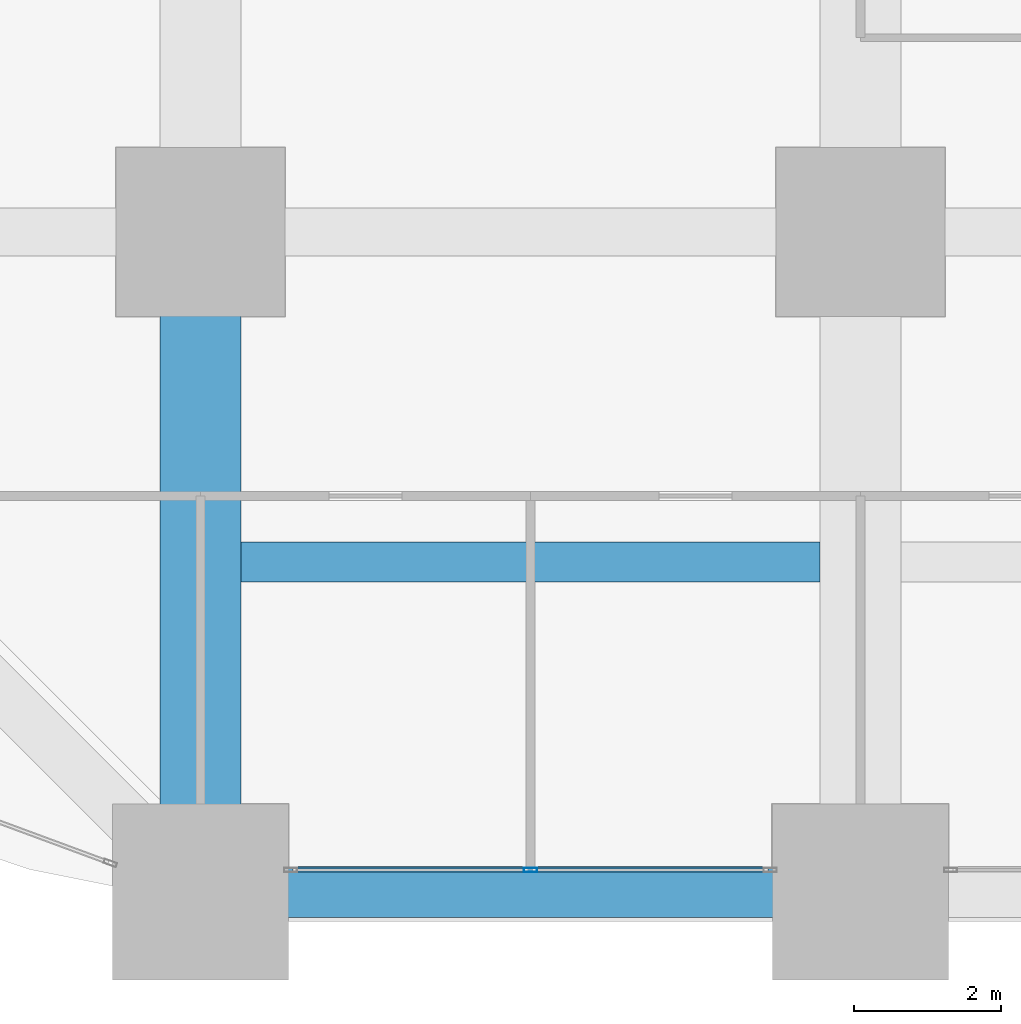
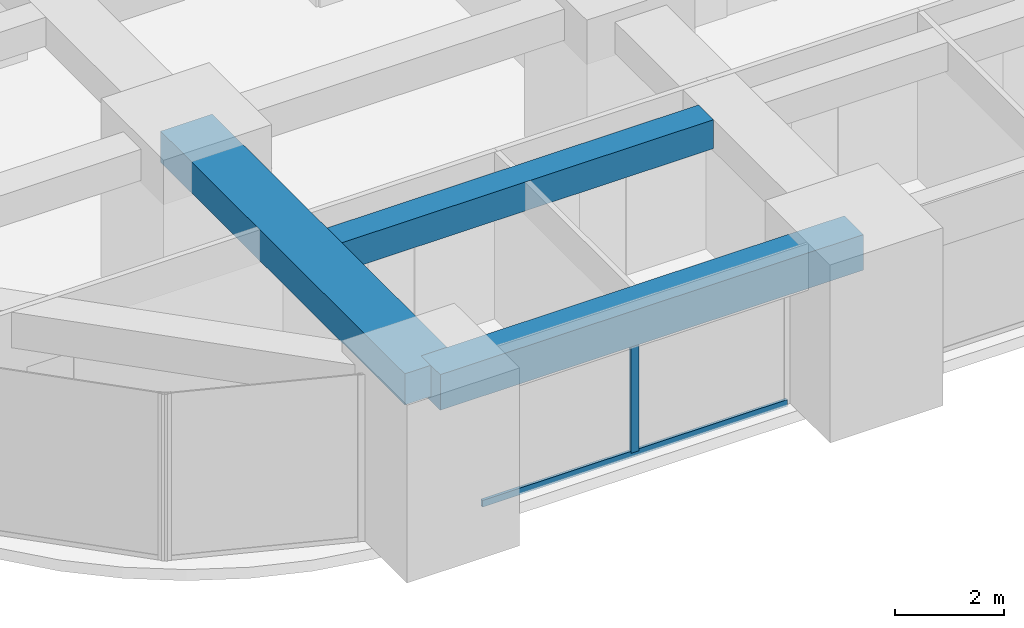
# One storey, part 3 of 45: 3 beams, 2 members, 1 element without a shape of its own.
"""IFC4 building model written with IfcOpenShell, lengths in metres."""

import ifcopenshell
import ifcopenshell.guid

model = None  # the IFC model being written
_history = None  # IfcOwnerHistory: only IFC2X3 demands one
_inside = {}  # id of a spatial element -> (the spatial element, [elements in it])
_under = {}  # id of a project, library or spatial element -> (it, [spatial elements below it])
_declared = {}  # id of a project -> (the project, [libraries it declares])
_typed = {}  # id of a type object -> (the type object, [elements of that type])
_made_of = {}  # id of a material, layer set ... -> (it, [elements and type objects made of it])


def new_model(schema):
    """Start an empty IFC model of exactly this schema.

    Asked for "IFC4X3", IfcOpenShell would pick the latest addendum, in which some entities
    have other attributes; the version numbers below select the first issue.
    IFC2X3 requires an IfcOwnerHistory on every rooted entity: one is made here for all.
    """
    global model, _history
    if schema == "IFC4X3":
        model = ifcopenshell.file(schema_version=(4, 3, 0, 0))
    else:
        model = ifcopenshell.file(schema=schema)
    _inside.clear()
    _under.clear()
    _declared.clear()
    _typed.clear()
    _made_of.clear()
    _history = None
    if model.schema == "IFC2X3":
        org = make("IfcOrganization", Name="unknown")
        user = make(
            "IfcPersonAndOrganization",
            ThePerson=make("IfcPerson", FamilyName="unknown"),
            TheOrganization=org,
        )
        app = make(
            "IfcApplication",
            ApplicationDeveloper=org,
            Version="unknown",
            ApplicationFullName="unknown",
            ApplicationIdentifier="unknown",
        )
        _history = make(
            "IfcOwnerHistory",
            OwningUser=user,
            OwningApplication=app,
            ChangeAction="ADDED",
            CreationDate=0,
        )
    return model


def make(cls, **values):
    """One entity of the class cls with the attributes given. An attribute that is None is left unset."""
    return model.create_entity(
        cls, **{name: value for name, value in values.items() if value is not None}
    )


def rooted(cls, **values):
    """An entity with a GlobalId (a new one), such as an element, a storey or a relation."""
    return make(cls, GlobalId=ifcopenshell.guid.new(), OwnerHistory=_history, **values)


def si_unit(unit_type, name, prefix=None):
    """IfcSIUnit, for example si_unit("LENGTHUNIT", "METRE", prefix="MILLI")."""
    return make("IfcSIUnit", UnitType=unit_type, Prefix=prefix, Name=name)


def assignment(units):
    """IfcUnitAssignment: the units of a project."""
    return None if units is None else make("IfcUnitAssignment", Units=units)


def point(xyz):
    """IfcCartesianPoint."""
    return None if xyz is None else make("IfcCartesianPoint", Coordinates=xyz)


def direction(xyz):
    """IfcDirection."""
    return None if xyz is None else make("IfcDirection", DirectionRatios=xyz)


def frame(location, z_axis=None, x_axis=None):
    """IfcAxis2Placement3D, a coordinate frame: its origin and axes. An axis left out is left unset."""
    return make(
        "IfcAxis2Placement3D",
        Location=point(location),
        Axis=direction(z_axis),
        RefDirection=direction(x_axis),
    )


def frame_2d(location, x_axis=None):
    """IfcAxis2Placement2D, a coordinate frame in the plane: its origin and x axis."""
    return make(
        "IfcAxis2Placement2D", Location=point(location), RefDirection=direction(x_axis)
    )


def origin():
    """The frame at (0, 0, 0) with its axes left unset."""
    return frame((0.0, 0.0, 0.0))


def origin_2d():
    """The frame at (0, 0) in the plane with its x axis left unset."""
    return frame_2d((0.0, 0.0))


def place(relative_to, where):
    """IfcLocalPlacement: puts the frame where relative to a parent placement (None: the world)."""
    return make(
        "IfcLocalPlacement", PlacementRelTo=relative_to, RelativePlacement=where
    )


def context(
    kind, dimensions, precision=None, world=None, true_north=None, identifier=None
):
    """IfcGeometricRepresentationContext, for example the 3D "Model" context."""
    return make(
        "IfcGeometricRepresentationContext",
        ContextIdentifier=identifier,
        ContextType=kind,
        CoordinateSpaceDimension=dimensions,
        Precision=precision,
        WorldCoordinateSystem=world,
        TrueNorth=true_north,
    )


def subcontext(parent, identifier, kind, view, scale=None):
    """IfcGeometricRepresentationSubContext, for example "Body" below "Model"."""
    return make(
        "IfcGeometricRepresentationSubContext",
        ContextIdentifier=identifier,
        ContextType=kind,
        ParentContext=parent,
        TargetScale=scale,
        TargetView=view,
    )


def project(units=None, contexts=None):
    """IfcProject with its units and contexts."""
    return rooted(
        "IfcProject",
        Name="project",
        RepresentationContexts=contexts,
        UnitsInContext=assignment(units),
    )


def spatial(cls, under=None, at=None, **own):
    """A site, building, storey or space (cls), placed at a placement, below another one or the project."""
    s = rooted(cls, ObjectPlacement=at, **own)
    if under is not None:
        _under.setdefault(under.id(), (under, []))[1].append(s)
    return s


def profile(cls, at=None, kind="AREA", **sizes):
    """A parametric profile (cls). Its sizes go by their IFC names, for example OverallWidth=200.0."""
    return make(cls, ProfileType=kind, Position=at, **sizes)


def rectangle(**sizes):
    """IfcRectangleProfileDef."""
    return profile("IfcRectangleProfileDef", **sizes)


def hollow_rectangle(**sizes):
    """IfcRectangleHollowProfileDef."""
    return profile("IfcRectangleHollowProfileDef", **sizes)


def extrude(swept, where, along, depth):
    """IfcExtrudedAreaSolid: the profile swept, set in the frame where, extruded along a direction by depth."""
    return make(
        "IfcExtrudedAreaSolid",
        SweptArea=swept,
        Position=where,
        ExtrudedDirection=direction(along),
        Depth=depth,
    )


def shape(context_of_items, identifier, shape_type, items):
    """IfcShapeRepresentation: the items that make up one representation, for example the "Body"."""
    return make(
        "IfcShapeRepresentation",
        ContextOfItems=context_of_items,
        RepresentationIdentifier=identifier,
        RepresentationType=shape_type,
        Items=items,
    )


def material(Name=None, Category=None):
    """IfcMaterial."""
    return make("IfcMaterial", Name=Name, Category=Category)


def material_profile(
    of_material, cross_section, Name=None, Category=None, Priority=None
):
    """IfcMaterialProfile: a cross section and its material."""
    return make(
        "IfcMaterialProfile",
        Name=Name,
        Material=of_material,
        Profile=cross_section,
        Priority=Priority,
        Category=Category,
    )


def profile_set(profiles, Name=None, composite=None):
    """IfcMaterialProfileSet."""
    return make(
        "IfcMaterialProfileSet",
        Name=Name,
        MaterialProfiles=profiles,
        CompositeProfile=composite,
    )


def made_of(thing, what):
    """Note that an element or type object is made of a material, layer set ...; save() writes the relation."""
    if what is not None:
        _made_of.setdefault(what.id(), (what, []))[1].append(thing)
    return thing


def type_object(cls, material=None, **own):
    """A type object (cls), such as IfcWallType, which elements share."""
    return made_of(rooted(cls, **own), material)


def element(
    cls,
    number,
    at=None,
    inside=None,
    cuts=None,
    type_object=None,
    material=None,
    context=None,
    identifier="Body",
    shape_type=None,
    held_by="IfcProductDefinitionShape",
    body=None,
    shapes=None,
    **own,
):
    """One element of the class cls, such as IfcWall. Its Tag is "e" and its number.

    at: its placement. inside: the storey or other place that contains it. cuts: it is an
    opening in that element (IfcRelVoidsElement). A single representation is given by context,
    identifier, shape_type and body (its items); several are given by shapes. held_by: the class
    of the entity that holds the representations. save() writes the other relations.
    """
    e = rooted(cls, Tag="e%d" % number, ObjectPlacement=at, **own)
    if body is not None:
        shapes = [shape(context, identifier, shape_type, body)]
    if shapes is not None:
        e.Representation = make(held_by, Representations=shapes)
    if inside is not None:
        _inside.setdefault(inside.id(), (inside, []))[1].append(e)
    if cuts is not None:
        rooted(
            "IfcRelVoidsElement", RelatingBuildingElement=cuts, RelatedOpeningElement=e
        )
    if type_object is not None:
        _typed.setdefault(type_object.id(), (type_object, []))[1].append(e)
    return made_of(e, material)


def aggregate(whole, parts):
    """IfcRelAggregates: a whole, such as a stair, and the parts it consists of."""
    return rooted("IfcRelAggregates", RelatingObject=whole, RelatedObjects=parts)


def save(model, path):
    """Write the relations noted so far, then the file.

    IfcRelAggregates (storeys below a building ...), IfcRelContainedInSpatialStructure (elements
    in a storey), IfcRelDefinesByType, IfcRelAssociatesMaterial and IfcRelDeclares: one each for
    every whole, place, type object, material and project.
    """
    for whole, parts in _under.values():
        aggregate(whole, parts)
    for where, things in _inside.values():
        rooted(
            "IfcRelContainedInSpatialStructure",
            RelatedElements=things,
            RelatingStructure=where,
        )
    for kind, things in _typed.values():
        rooted("IfcRelDefinesByType", RelatedObjects=things, RelatingType=kind)
    for what, things in _made_of.values():
        rooted("IfcRelAssociatesMaterial", RelatedObjects=things, RelatingMaterial=what)
    for by, libraries in _declared.values():
        rooted("IfcRelDeclares", RelatingContext=by, RelatedDefinitions=libraries)
    model.write(path)


model = new_model("IFC4")

# Units and contexts
model_context = context("Model", 3, precision=1e-05, world=origin(), true_north=direction((0.0, 1.0)))
body_context = subcontext(model_context, "Body", "Model", "MODEL_VIEW")
ifc_project = project(units=[si_unit("LENGTHUNIT", "METRE"), si_unit("AREAUNIT", "SQUARE_METRE"), si_unit("VOLUMEUNIT", "CUBIC_METRE"), si_unit("PLANEANGLEUNIT", "RADIAN"), si_unit("MASSUNIT", "GRAM", prefix="KILO")], contexts=[model_context])

# Site, building, storey
site_placement = place(None, origin())
site = spatial("IfcSite", under=ifc_project, at=site_placement, CompositionType="ELEMENT")
building_placement = place(site_placement, origin())
building = spatial("IfcBuilding", under=site, at=building_placement, Name="Zorevar Civic Tower", CompositionType="ELEMENT")
storey_placement = place(building_placement, frame((0.0, 0.0, 39.800048828125)))
storey = spatial("IfcBuildingStorey", under=building, at=storey_placement, Name="L09", CompositionType="ELEMENT", Elevation=39.800048828125)

# Beams
ifc_material_1 = material(Name="Concrete C50/60", Category="concrete")
ifc_material_profile_1 = material_profile(ifc_material_1, rectangle(XDim=1.10009765625, YDim=0.699951171875, at=origin_2d()), Name="RC 1100x700")
ifc_profile_set_1 = profile_set([ifc_material_profile_1], Name="Concrete C50/60")
beam_type_1 = type_object("IfcBeamType", Name="Beam RC 1100x700", PredefinedType="BEAM", material=ifc_profile_set_1)
beam_1_placement = place(storey_placement, frame((9.0, 0.0, 3.39990234375), z_axis=(0.0, 1.0, 0.0), x_axis=(-1.0, 0.0, 0.0)))
element("IfcBeam", 1, at=beam_1_placement, inside=storey, type_object=beam_type_1, Name="Girder L10", PredefinedType="BEAM", context=body_context, shape_type="SweptSolid", body=[
    extrude(rectangle(XDim=1.10009765625, YDim=0.699951171875, at=origin_2d()), origin(), (0.0, 0.0, 1.0), 9.0),
])
ifc_material_2 = material(Name="Concrete C50/60", Category="concrete")
ifc_material_profile_2 = material_profile(ifc_material_2, rectangle(XDim=0.550048828125, YDim=0.64990234375, at=origin_2d()), Name="RC 550x650")
ifc_profile_set_2 = profile_set([ifc_material_profile_2], Name="Concrete C50/60")
beam_type_2 = type_object("IfcBeamType", Name="Beam RC 550x650", PredefinedType="BEAM", material=ifc_profile_set_2)
beam_2_placement = place(storey_placement, frame((9.550048828125, 4.5, 3.425048828125), z_axis=(1.0, 0.0, 0.0), x_axis=(0.0, 1.0, 0.0)))
element("IfcBeam", 2, at=beam_2_placement, inside=storey, type_object=beam_type_2, Name="Secondary beam L10", PredefinedType="BEAM", context=body_context, shape_type="SweptSolid", body=[
    extrude(rectangle(XDim=0.550048828125, YDim=0.64990234375, at=origin_2d()), origin(), (0.0, 0.0, 1.0), 7.89990234375),
])

# Curtain wall, members
ifc_material_3 = material(Name="Dark grey solar-control glass in black aluminium frame", Category="aluminium")
curtain_wall_type = type_object("IfcCurtainWallType", Name="Curtain wall CW2 low zone", PredefinedType="NOTDEFINED", material=ifc_material_3)
curtain_wall_placement = place(storey_placement, origin())
curtain_wall = element("IfcCurtainWall", 3, at=curtain_wall_placement, inside=storey, type_object=curtain_wall_type, Name="CW2 L09", PredefinedType="NOTDEFINED")
ifc_material_4 = material(Name="Aluminium, black anodised", Category="aluminium")
ifc_material_profile_3 = material_profile(ifc_material_4, hollow_rectangle(XDim=0.06005859375, YDim=0.179931640625, WallThickness=0.00390625, at=origin_2d()), Name="AL 180x60x4")
ifc_profile_set_3 = profile_set([ifc_material_profile_3], Name="Aluminium, black anodised")
member_type_1 = type_object("IfcMemberType", Name="CW2 mullion AL 180x60x4", PredefinedType="MULLION", material=ifc_profile_set_3)
member_1_placement = place(storey_placement, frame((13.5, 0.300048828125, 0.06005859375), z_axis=(0.0, 0.0, 1.0), x_axis=(0.0, 1.0, 0.0)))
member_1 = element("IfcMember", 4, at=member_1_placement, type_object=member_type_1, Name="CW2 mullion 2", PredefinedType="MULLION", context=body_context, shape_type="SweptSolid", body=[
    extrude(hollow_rectangle(XDim=0.06005859375, YDim=0.179931640625, WallThickness=0.00390625, at=origin_2d()), origin(), (0.0, 0.0, 1.0), 2.889892578125),
])
ifc_material_5 = material(Name="Aluminium, black anodised", Category="aluminium")
ifc_material_profile_4 = material_profile(ifc_material_5, hollow_rectangle(XDim=0.06005859375, YDim=0.14990234375, WallThickness=0.00390625, at=origin_2d()), Name="AL 150x60x4")
ifc_profile_set_4 = profile_set([ifc_material_profile_4], Name="Aluminium, black anodised")
member_type_2 = type_object("IfcMemberType", Name="CW2 transom AL 150x60x4", PredefinedType="USERDEFINED", material=ifc_profile_set_4)
member_2_placement = place(storey_placement, frame((10.260009765625, 0.300048828125, 0.030029296875), z_axis=(1.0, 0.0, 0.0), x_axis=(0.0, 1.0, 0.0)))
member_2 = element("IfcMember", 5, at=member_2_placement, type_object=member_type_2, Name="CW2 sill transom", ObjectType="TRANSOM", PredefinedType="USERDEFINED", context=body_context, shape_type="SweptSolid", body=[
    extrude(hollow_rectangle(XDim=0.06005859375, YDim=0.14990234375, WallThickness=0.00390625, at=origin_2d()), origin(), (0.0, 0.0, 1.0), 6.47998046875),
])
aggregate(curtain_wall, [member_1, member_2])

# Beam
ifc_material_6 = material(Name="Concrete C50/60", Category="concrete")
ifc_material_profile_5 = material_profile(ifc_material_6, rectangle(XDim=0.699951171875, YDim=0.800048828125, at=origin_2d()), Name="RC 700x800")
ifc_profile_set_5 = profile_set([ifc_material_profile_5], Name="Concrete C50/60")
beam_type_3 = type_object("IfcBeamType", Name="Edge beam RC 700x800", PredefinedType="SPANDREL", material=ifc_profile_set_5)
beam_3_placement = place(storey_placement, frame((9.0, 0.0, 3.349853515625), z_axis=(1.0, 0.0, 0.0), x_axis=(0.0, 1.0, 0.0)))
element("IfcBeam", 6, at=beam_3_placement, inside=storey, type_object=beam_type_3, Name="Edge beam L10", PredefinedType="SPANDREL", context=body_context, shape_type="SweptSolid", body=[
    extrude(rectangle(XDim=0.699951171875, YDim=0.800048828125, at=origin_2d()), origin(), (0.0, 0.0, 1.0), 9.0),
])

save(model, "model.ifc")
